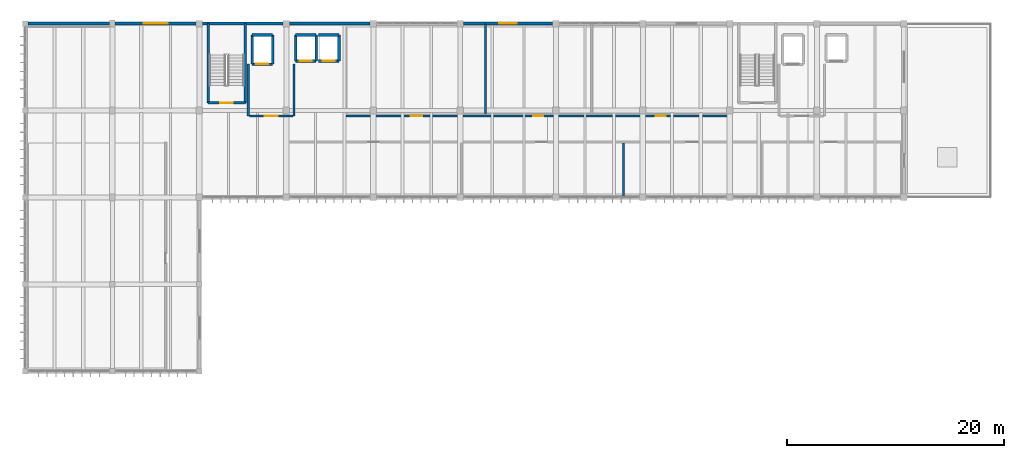
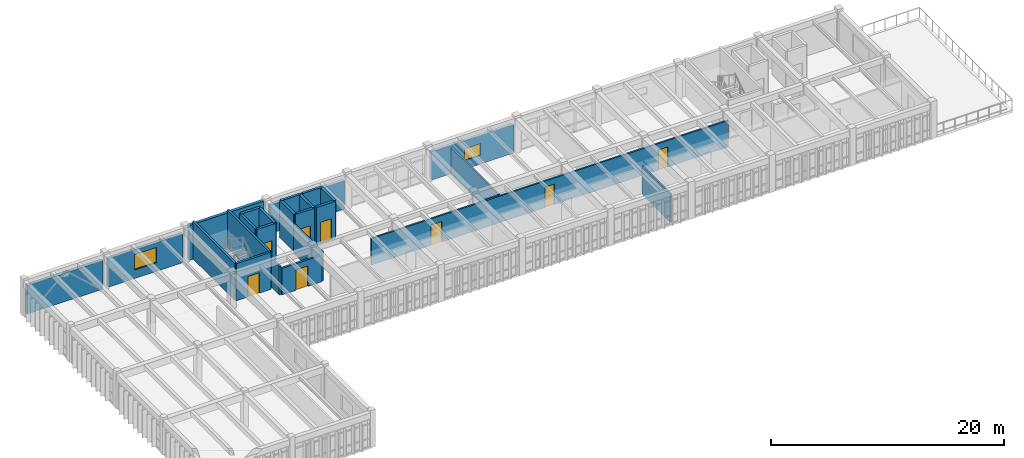
# One storey, part 16 of 22: 25 walls, 8 doors, 2 windows, 10 openings.
"""IFC4 building model written with IfcOpenShell, lengths in metres."""

from ifc_helpers import new_model, si_unit, direction, frame, frame_2d, origin, place, context, subcontext, project, spatial, rectangle, extrude, material, layer, layer_set, type_object, element, fill, save


model = new_model("IFC4")

# Units and contexts
model_context = context("Model", 3, precision=1e-05, world=origin(), true_north=direction((0.0, 1.0)))
body_context = subcontext(model_context, "Body", "Model", "MODEL_VIEW")
ifc_project = project(units=[si_unit("LENGTHUNIT", "METRE"), si_unit("AREAUNIT", "SQUARE_METRE"), si_unit("VOLUMEUNIT", "CUBIC_METRE"), si_unit("PLANEANGLEUNIT", "RADIAN"), si_unit("MASSUNIT", "GRAM", prefix="KILO")], contexts=[model_context])

# Site, building, storey
site_placement = place(None, origin())
site = spatial("IfcSite", under=ifc_project, at=site_placement, CompositionType="ELEMENT")
building_placement = place(site_placement, origin())
building = spatial("IfcBuilding", under=site, at=building_placement, Name="Tlaxcora Railside Police Headquarters", CompositionType="ELEMENT")
storey_placement = place(building_placement, frame((0.0, 0.0, 21.89990234375)))
storey = spatial("IfcBuildingStorey", under=building, at=storey_placement, Name="L05", CompositionType="ELEMENT", Elevation=21.89990234375)

# Wall, opening, door
ifc_material_1 = material(Name="Pressed clay brick masonry", Category="masonry")
ifc_layer_1 = layer(ifc_material_1, 0.199951171875, Name="Pressed clay brick masonry")
ifc_layer_set_1 = layer_set([ifc_layer_1], Name="Pressed clay brick masonry")
wall_type_1 = type_object("IfcWallType", Name="Interior Partition Wall IW-60", PredefinedType="PARTITIONING", material=ifc_layer_set_1)
wall_1_placement = place(storey_placement, frame((25.800048828125, 84.300048828125, 0.0), z_axis=(0.0, 0.0, 1.0), x_axis=(1.0, 0.0, 0.0)))
wall_1 = element("IfcWall", 1, at=wall_1_placement, inside=storey, type_object=wall_type_1, Name="V5 L05 interior partition 221", PredefinedType="PARTITIONING", context=body_context, shape_type="SweptSolid", body=[
    extrude(rectangle(XDim=4.0, YDim=0.199951171875, at=frame_2d((2.0, 0.0))), origin(), (0.0, 0.0, 1.0), 2.78515625),
])
opening_1_placement = place(wall_1_placement, frame((1.39990234375, 0.0, 0.0)))
opening_1 = element("IfcOpeningElement", 2, at=opening_1_placement, cuts=wall_1, Name="Opening D-L05-245", PredefinedType="OPENING", context=body_context, shape_type="SweptSolid", body=[
    extrude(rectangle(XDim=1.199951171875, YDim=2.14990234375, at=frame_2d((0.60009765625, 1.074951171875))), frame((0.0, 0.10986328125, 0.0), z_axis=(0.0, -1.0, 0.0), x_axis=(1.0, 0.0, 0.0)), (0.0, 0.0, 1.0), 0.219970703125),
])
ifc_material_2 = material(Name="Steel ASTM A992 Grade 50", Category="steel")
door_type_1 = type_object("IfcDoorType", Name="Swing or Sliding Personnel Door ID-14", OperationType="NOTDEFINED", PredefinedType="DOOR", material=ifc_material_2)
door_1_placement = place(opening_1_placement, origin())
door_1 = element("IfcDoor", 3, at=door_1_placement, inside=storey, type_object=door_type_1, Name="V5 L05 door D-L05-245", OperationType="DOUBLE_DOOR_SINGLE_SWING", OverallHeight=2.14990234375, OverallWidth=1.199951171875, PredefinedType="DOOR", context=body_context, shape_type="SweptSolid", body=[
    extrude(rectangle(XDim=1.199951171875, YDim=2.14990234375, at=frame_2d((0.60009765625, 1.074951171875))), frame((0.0, 0.02490234375, 0.0), z_axis=(0.0, -1.0, 0.0), x_axis=(1.0, 0.0, 0.0)), (0.0, 0.0, 1.0), 0.050048828125),
])
fill(opening_1, door_1)

# Walls
wall_2_placement = place(storey_placement, frame((25.699951171875, 84.300048828125, 0.0), z_axis=(0.0, 0.0, 1.0), x_axis=(0.0, 1.0, 0.0)))
element("IfcWall", 4, at=wall_2_placement, inside=storey, type_object=wall_type_1, Name="V5 L05 interior partition 222", PredefinedType="PARTITIONING", context=body_context, shape_type="SweptSolid", body=[
    extrude(rectangle(XDim=4.800048828125, YDim=0.199951171875, at=frame_2d((2.39990234375, 0.0))), origin(), (0.0, 0.0, 1.0), 2.985107421875),
])
wall_3_placement = place(storey_placement, frame((29.89990234375, 84.300048828125, 0.0), z_axis=(0.0, 0.0, 1.0), x_axis=(0.0, 1.0, 0.0)))
element("IfcWall", 5, at=wall_3_placement, inside=storey, type_object=wall_type_1, Name="V5 L05 interior partition 223", PredefinedType="PARTITIONING", context=body_context, shape_type="SweptSolid", body=[
    extrude(rectangle(XDim=4.800048828125, YDim=0.199951171875, at=frame_2d((2.39990234375, 0.0))), origin(), (0.0, 0.0, 1.0), 3.03515625),
])
ifc_material_3 = material(Name="Gypsum acoustic partition board")
ifc_layer_2 = layer(ifc_material_3, 0.159912109375, Name="Gypsum acoustic partition board")
ifc_layer_set_2 = layer_set([ifc_layer_2], Name="Gypsum acoustic partition board")
wall_type_2 = type_object("IfcWallType", Name="Interior Partition Wall IW-73", PredefinedType="PARTITIONING", material=ifc_layer_set_2)
wall_4_placement = place(storey_placement, frame((47.510986328125, 84.5, 0.0), z_axis=(0.0, 0.0, 1.0), x_axis=(0.0, 1.0, 0.0)))
element("IfcWall", 6, at=wall_4_placement, inside=storey, type_object=wall_type_2, Name="V5 L05 interior partition 231", PredefinedType="PARTITIONING", context=body_context, shape_type="SweptSolid", body=[
    extrude(rectangle(XDim=8.219970703125, YDim=0.159912109375, at=frame_2d((4.10986328125, 0.0))), origin(), (0.0, 0.0, 1.0), 2.78515625),
])

# Wall, openings, doors
wall_5_placement = place(storey_placement, frame((34.699951171875, 84.300048828125, 0.0), z_axis=(0.0, 0.0, 1.0), x_axis=(1.0, 0.0, 0.0)))
wall_5 = element("IfcWall", 7, at=wall_5_placement, inside=storey, type_object=wall_type_2, Name="V5 L05 interior partition 233", PredefinedType="PARTITIONING", context=body_context, shape_type="SweptSolid", body=[
    extrude(rectangle(XDim=35.400146484375, YDim=0.159912109375, at=frame_2d((17.7001953125, 0.0))), origin(), (0.0, 0.0, 1.0), 2.78515625),
])
opening_2_placement = place(wall_5_placement, frame((5.919921875, 0.0, 0.0)))
opening_2 = element("IfcOpeningElement", 8, at=opening_2_placement, cuts=wall_5, Name="Opening D-L05-251", PredefinedType="OPENING", context=body_context, shape_type="SweptSolid", body=[
    extrude(rectangle(XDim=1.080078125, YDim=2.139892578125, at=frame_2d((0.5400390625, 1.06982421875))), frame((0.0, 0.08984375, 0.0), z_axis=(0.0, -1.0, 0.0), x_axis=(1.0, 0.0, 0.0)), (0.0, 0.0, 1.0), 0.179931640625),
])
opening_3_placement = place(wall_5_placement, frame((17.199951171875, 0.0, 0.0)))
opening_3 = element("IfcOpeningElement", 9, at=opening_3_placement, cuts=wall_5, Name="Opening D-L05-252", PredefinedType="OPENING", context=body_context, shape_type="SweptSolid", body=[
    extrude(rectangle(XDim=0.949951171875, YDim=2.14990234375, at=frame_2d((0.47509765625, 1.074951171875))), frame((0.0, 0.08984375, 0.0), z_axis=(0.0, -1.0, 0.0), x_axis=(1.0, 0.0, 0.0)), (0.0, 0.0, 1.0), 0.179931640625),
])
opening_4_placement = place(wall_5_placement, frame((28.47998046875, 0.0, 0.0)))
opening_4 = element("IfcOpeningElement", 10, at=opening_4_placement, cuts=wall_5, Name="Opening D-L05-253", PredefinedType="OPENING", context=body_context, shape_type="SweptSolid", body=[
    extrude(rectangle(XDim=0.89990234375, YDim=2.10009765625, at=frame_2d((0.449951171875, 1.050048828125))), frame((0.0, 0.08984375, 0.0), z_axis=(0.0, -1.0, 0.0), x_axis=(1.0, 0.0, 0.0)), (0.0, 0.0, 1.0), 0.179931640625),
])
door_type_2 = type_object("IfcDoorType", Name="Swing or Sliding Personnel Door ID-20", OperationType="NOTDEFINED", PredefinedType="DOOR", material=ifc_material_2)
door_2_placement = place(opening_2_placement, origin())
door_2 = element("IfcDoor", 11, at=door_2_placement, inside=storey, type_object=door_type_2, Name="V5 L05 door D-L05-251", OperationType="SINGLE_SWING_RIGHT", OverallHeight=2.139892578125, OverallWidth=1.080078125, PredefinedType="DOOR", context=body_context, shape_type="SweptSolid", body=[
    extrude(rectangle(XDim=1.080078125, YDim=2.139892578125, at=frame_2d((0.5400390625, 1.06982421875))), frame((0.0, 0.02490234375, 0.0), z_axis=(0.0, -1.0, 0.0), x_axis=(1.0, 0.0, 0.0)), (0.0, 0.0, 1.0), 0.050048828125),
])
fill(opening_2, door_2)
door_type_3 = type_object("IfcDoorType", Name="Swing or Sliding Personnel Door ID-31", OperationType="NOTDEFINED", PredefinedType="DOOR", material=ifc_material_2)
door_3_placement = place(opening_3_placement, origin())
door_3 = element("IfcDoor", 12, at=door_3_placement, inside=storey, type_object=door_type_3, Name="V5 L05 door D-L05-252", OperationType="SINGLE_SWING_LEFT", OverallHeight=2.14990234375, OverallWidth=0.949951171875, PredefinedType="DOOR", context=body_context, shape_type="SweptSolid", body=[
    extrude(rectangle(XDim=0.949951171875, YDim=2.14990234375, at=frame_2d((0.47509765625, 1.074951171875))), frame((0.0, 0.02490234375, 0.0), z_axis=(0.0, -1.0, 0.0), x_axis=(1.0, 0.0, 0.0)), (0.0, 0.0, 1.0), 0.050048828125),
])
fill(opening_3, door_3)
door_type_4 = type_object("IfcDoorType", Name="Swing or Sliding Personnel Door ID-33", OperationType="NOTDEFINED", PredefinedType="DOOR", material=ifc_material_2)
door_4_placement = place(opening_4_placement, origin())
door_4 = element("IfcDoor", 13, at=door_4_placement, inside=storey, type_object=door_type_4, Name="V5 L05 door D-L05-253", OperationType="SINGLE_SWING_RIGHT", OverallHeight=2.10009765625, OverallWidth=0.89990234375, PredefinedType="DOOR", context=body_context, shape_type="SweptSolid", body=[
    extrude(rectangle(XDim=0.89990234375, YDim=2.10009765625, at=frame_2d((0.449951171875, 1.050048828125))), frame((0.0, 0.02490234375, 0.0), z_axis=(0.0, -1.0, 0.0), x_axis=(1.0, 0.0, 0.0)), (0.0, 0.0, 1.0), 0.050048828125),
])
fill(opening_4, door_4)

# Wall
ifc_layer_3 = layer(ifc_material_3, 0.14990234375, Name="Gypsum acoustic partition board")
ifc_layer_set_3 = layer_set([ifc_layer_3], Name="Gypsum acoustic partition board")
wall_type_3 = type_object("IfcWallType", Name="Interior Partition Wall IW-91", PredefinedType="PARTITIONING", material=ifc_layer_set_3)
wall_6_placement = place(storey_placement, frame((60.2060546875, 76.8798828125, 0.0), z_axis=(0.0, 0.0, 1.0), x_axis=(0.0, 1.0, 0.0)))
element("IfcWall", 14, at=wall_6_placement, inside=storey, type_object=wall_type_3, Name="V5 L05 interior partition 228", PredefinedType="PARTITIONING", context=body_context, shape_type="SweptSolid", body=[
    extrude(rectangle(XDim=4.920166015625, YDim=0.14990234375, at=frame_2d((2.4599609375, 0.0))), origin(), (0.0, 0.0, 1.0), 2.985107421875),
])

# Wall, opening, door
ifc_material_4 = material(Name="Concrete C40/50", Category="concrete")
ifc_layer_4 = layer(ifc_material_4, 0.25, Name="Concrete C40/50")
ifc_layer_set_4 = layer_set([ifc_layer_4], Name="Concrete C40/50")
wall_type_4 = type_object("IfcWallType", Name="Shear Core Wall IW-13", PredefinedType="SHEAR", material=ifc_layer_set_4)
wall_7_placement = place(storey_placement, frame((26.06005859375, 89.06005859375, 0.0), z_axis=(0.0, 0.0, 1.0), x_axis=(1.0, 0.0, 0.0)))
wall_7 = element("IfcWall", 15, at=wall_7_placement, inside=storey, type_object=wall_type_4, Name="Lift FFL-01 L05 shaft wall S", PredefinedType="SHEAR", context=body_context, shape_type="SweptSolid", body=[
    extrude(rectangle(XDim=1.8798828125, YDim=0.25, at=frame_2d((0.93994140625, 0.0))), origin(), (0.0, 0.0, 1.0), 3.900146484375),
])
opening_5_placement = place(wall_7_placement, frame((0.389892578125, 0.0, 0.0)))
opening_5 = element("IfcOpeningElement", 16, at=opening_5_placement, cuts=wall_7, Name="Opening LD-FFL-01-L05", PredefinedType="OPENING", context=body_context, shape_type="SweptSolid", body=[
    extrude(rectangle(XDim=1.10009765625, YDim=2.199951171875, at=frame_2d((0.550048828125, 1.10009765625))), frame((0.0, 0.135009765625, 0.0), z_axis=(0.0, -1.0, 0.0), x_axis=(1.0, 0.0, 0.0)), (0.0, 0.0, 1.0), 0.27001953125),
])
door_type_5 = type_object("IfcDoorType", Name="Swing or Sliding Personnel Door ID-15", OperationType="NOTDEFINED", PredefinedType="DOOR", material=ifc_material_2)
door_5_placement = place(opening_5_placement, origin())
door_5 = element("IfcDoor", 17, at=door_5_placement, inside=storey, type_object=door_type_5, Name="Lift FFL-01 L05 sliding landing door", OperationType="DOUBLE_DOOR_SLIDING", OverallHeight=2.199951171875, OverallWidth=1.10009765625, PredefinedType="DOOR", context=body_context, shape_type="SweptSolid", body=[
    extrude(rectangle(XDim=1.10009765625, YDim=2.199951171875, at=frame_2d((0.550048828125, 1.10009765625))), frame((0.0, 0.02490234375, 0.0), z_axis=(0.0, -1.0, 0.0), x_axis=(1.0, 0.0, 0.0)), (0.0, 0.0, 1.0), 0.050048828125),
])
fill(opening_5, door_5)

# Walls
wall_8_placement = place(storey_placement, frame((27.93994140625, 89.06005859375, 0.0), z_axis=(0.0, 0.0, 1.0), x_axis=(0.0, 1.0, 0.0)))
element("IfcWall", 18, at=wall_8_placement, inside=storey, type_object=wall_type_4, Name="Lift FFL-01 L05 shaft wall E", PredefinedType="SHEAR", context=body_context, shape_type="SweptSolid", body=[
    extrude(rectangle(XDim=2.679931640625, YDim=0.25, at=frame_2d((1.33984375, 0.0))), origin(), (0.0, 0.0, 1.0), 3.900146484375),
])
wall_9_placement = place(storey_placement, frame((27.93994140625, 91.739990234375, 0.0), z_axis=(0.0, 0.0, 1.0), x_axis=(-1.0, 0.0, 0.0)))
element("IfcWall", 19, at=wall_9_placement, inside=storey, type_object=wall_type_4, Name="Lift FFL-01 L05 shaft wall N", PredefinedType="SHEAR", context=body_context, shape_type="SweptSolid", body=[
    extrude(rectangle(XDim=1.8798828125, YDim=0.25, at=frame_2d((0.93994140625, 0.0))), origin(), (0.0, 0.0, 1.0), 3.900146484375),
])
wall_10_placement = place(storey_placement, frame((26.06005859375, 91.739990234375, 0.0), z_axis=(0.0, 0.0, 1.0), x_axis=(0.0, -1.0, 0.0)))
element("IfcWall", 20, at=wall_10_placement, inside=storey, type_object=wall_type_4, Name="Lift FFL-01 L05 shaft wall W", PredefinedType="SHEAR", context=body_context, shape_type="SweptSolid", body=[
    extrude(rectangle(XDim=2.679931640625, YDim=0.25, at=frame_2d((1.33984375, 0.0))), origin(), (0.0, 0.0, 1.0), 3.900146484375),
])

# Wall, opening, door
wall_11_placement = place(storey_placement, frame((30.06005859375, 89.360107421875, 0.0), z_axis=(0.0, 0.0, 1.0), x_axis=(1.0, 0.0, 0.0)))
wall_11 = element("IfcWall", 21, at=wall_11_placement, inside=storey, type_object=wall_type_4, Name="Lift PL-01 L05 shaft wall S", PredefinedType="SHEAR", context=body_context, shape_type="SweptSolid", body=[
    extrude(rectangle(XDim=1.8798828125, YDim=0.25, at=frame_2d((0.93994140625, 0.0))), origin(), (0.0, 0.0, 1.0), 3.900146484375),
])
opening_6_placement = place(wall_11_placement, frame((0.389892578125, 0.0, 0.0)))
opening_6 = element("IfcOpeningElement", 22, at=opening_6_placement, cuts=wall_11, Name="Opening LD-PL-01-L05", PredefinedType="OPENING", context=body_context, shape_type="SweptSolid", body=[
    extrude(rectangle(XDim=1.10009765625, YDim=2.199951171875, at=frame_2d((0.550048828125, 1.10009765625))), frame((0.0, 0.135009765625, 0.0), z_axis=(0.0, -1.0, 0.0), x_axis=(1.0, 0.0, 0.0)), (0.0, 0.0, 1.0), 0.27001953125),
])
door_6_placement = place(opening_6_placement, origin())
door_6 = element("IfcDoor", 23, at=door_6_placement, inside=storey, type_object=door_type_5, Name="Lift PL-01 L05 sliding landing door", OperationType="DOUBLE_DOOR_SLIDING", OverallHeight=2.199951171875, OverallWidth=1.10009765625, PredefinedType="DOOR", context=body_context, shape_type="SweptSolid", body=[
    extrude(rectangle(XDim=1.10009765625, YDim=2.199951171875, at=frame_2d((0.550048828125, 1.10009765625))), frame((0.0, 0.02490234375, 0.0), z_axis=(0.0, -1.0, 0.0), x_axis=(1.0, 0.0, 0.0)), (0.0, 0.0, 1.0), 0.050048828125),
])
fill(opening_6, door_6)

# Walls
wall_12_placement = place(storey_placement, frame((31.93994140625, 89.360107421875, 0.0), z_axis=(0.0, 0.0, 1.0), x_axis=(0.0, 1.0, 0.0)))
element("IfcWall", 24, at=wall_12_placement, inside=storey, type_object=wall_type_4, Name="Lift PL-01 L05 shaft wall E", PredefinedType="SHEAR", context=body_context, shape_type="SweptSolid", body=[
    extrude(rectangle(XDim=2.3798828125, YDim=0.25, at=frame_2d((1.18994140625, 0.0))), origin(), (0.0, 0.0, 1.0), 3.900146484375),
])
wall_13_placement = place(storey_placement, frame((31.93994140625, 91.739990234375, 0.0), z_axis=(0.0, 0.0, 1.0), x_axis=(-1.0, 0.0, 0.0)))
element("IfcWall", 25, at=wall_13_placement, inside=storey, type_object=wall_type_4, Name="Lift PL-01 L05 shaft wall N", PredefinedType="SHEAR", context=body_context, shape_type="SweptSolid", body=[
    extrude(rectangle(XDim=1.8798828125, YDim=0.25, at=frame_2d((0.93994140625, 0.0))), origin(), (0.0, 0.0, 1.0), 3.900146484375),
])
wall_14_placement = place(storey_placement, frame((30.06005859375, 91.739990234375, 0.0), z_axis=(0.0, 0.0, 1.0), x_axis=(0.0, -1.0, 0.0)))
element("IfcWall", 26, at=wall_14_placement, inside=storey, type_object=wall_type_4, Name="Lift PL-01 L05 shaft wall W", PredefinedType="SHEAR", context=body_context, shape_type="SweptSolid", body=[
    extrude(rectangle(XDim=2.3798828125, YDim=0.25, at=frame_2d((1.18994140625, 0.0))), origin(), (0.0, 0.0, 1.0), 3.900146484375),
])

# Wall, opening, door
wall_15_placement = place(storey_placement, frame((32.159912109375, 89.360107421875, 0.0), z_axis=(0.0, 0.0, 1.0), x_axis=(1.0, 0.0, 0.0)))
wall_15 = element("IfcWall", 27, at=wall_15_placement, inside=storey, type_object=wall_type_4, Name="Lift PL-02 L05 shaft wall S", PredefinedType="SHEAR", context=body_context, shape_type="SweptSolid", body=[
    extrude(rectangle(XDim=1.880126953125, YDim=0.25, at=frame_2d((0.93994140625, 0.0))), origin(), (0.0, 0.0, 1.0), 3.900146484375),
])
opening_7_placement = place(wall_15_placement, frame((0.389892578125, 0.0, 0.0)))
opening_7 = element("IfcOpeningElement", 28, at=opening_7_placement, cuts=wall_15, Name="Opening LD-PL-02-L05", PredefinedType="OPENING", context=body_context, shape_type="SweptSolid", body=[
    extrude(rectangle(XDim=1.10009765625, YDim=2.199951171875, at=frame_2d((0.550048828125, 1.10009765625))), frame((0.0, 0.135009765625, 0.0), z_axis=(0.0, -1.0, 0.0), x_axis=(1.0, 0.0, 0.0)), (0.0, 0.0, 1.0), 0.27001953125),
])
door_7_placement = place(opening_7_placement, origin())
door_7 = element("IfcDoor", 29, at=door_7_placement, inside=storey, type_object=door_type_5, Name="Lift PL-02 L05 sliding landing door", OperationType="DOUBLE_DOOR_SLIDING", OverallHeight=2.199951171875, OverallWidth=1.10009765625, PredefinedType="DOOR", context=body_context, shape_type="SweptSolid", body=[
    extrude(rectangle(XDim=1.10009765625, YDim=2.199951171875, at=frame_2d((0.550048828125, 1.10009765625))), frame((0.0, 0.02490234375, 0.0), z_axis=(0.0, -1.0, 0.0), x_axis=(1.0, 0.0, 0.0)), (0.0, 0.0, 1.0), 0.050048828125),
])
fill(opening_7, door_7)

# Walls
wall_16_placement = place(storey_placement, frame((34.0400390625, 89.360107421875, 0.0), z_axis=(0.0, 0.0, 1.0), x_axis=(0.0, 1.0, 0.0)))
element("IfcWall", 30, at=wall_16_placement, inside=storey, type_object=wall_type_4, Name="Lift PL-02 L05 shaft wall E", PredefinedType="SHEAR", context=body_context, shape_type="SweptSolid", body=[
    extrude(rectangle(XDim=2.3798828125, YDim=0.25, at=frame_2d((1.18994140625, 0.0))), origin(), (0.0, 0.0, 1.0), 3.900146484375),
])
wall_17_placement = place(storey_placement, frame((34.0400390625, 91.739990234375, 0.0), z_axis=(0.0, 0.0, 1.0), x_axis=(-1.0, 0.0, 0.0)))
element("IfcWall", 31, at=wall_17_placement, inside=storey, type_object=wall_type_4, Name="Lift PL-02 L05 shaft wall N", PredefinedType="SHEAR", context=body_context, shape_type="SweptSolid", body=[
    extrude(rectangle(XDim=1.880126953125, YDim=0.25, at=frame_2d((0.93994140625, 0.0))), origin(), (0.0, 0.0, 1.0), 3.900146484375),
])

# Wall, opening, door
ifc_layer_5 = layer(ifc_material_4, 0.219970703125, Name="Concrete C40/50")
ifc_layer_set_5 = layer_set([ifc_layer_5], Name="Concrete C40/50")
wall_type_5 = type_object("IfcWallType", Name="Shear Core Wall IW-35", PredefinedType="SHEAR", material=ifc_layer_set_5)
wall_18_placement = place(storey_placement, frame((22.0, 85.5, 0.0), z_axis=(0.0, 0.0, 1.0), x_axis=(1.0, 0.0, 0.0)))
wall_18 = element("IfcWall", 32, at=wall_18_placement, inside=storey, type_object=wall_type_5, Name="CORE-C1 L05 stair core wall S", PredefinedType="SHEAR", context=body_context, shape_type="SweptSolid", body=[
    extrude(rectangle(XDim=3.419921875, YDim=0.219970703125, at=frame_2d((1.7099609375, 0.0))), origin(), (0.0, 0.0, 1.0), 3.900146484375),
])
opening_8_placement = place(wall_18_placement, frame((1.135009765625, 0.0, 0.0)))
opening_8 = element("IfcOpeningElement", 33, at=opening_8_placement, cuts=wall_18, Name="Opening SD-L05-007", PredefinedType="OPENING", context=body_context, shape_type="SweptSolid", body=[
    extrude(rectangle(XDim=1.14990234375, YDim=2.14990234375, at=frame_2d((0.574951171875, 1.074951171875))), frame((0.0, 0.1201171875, 0.0), z_axis=(0.0, -1.0, 0.0), x_axis=(1.0, 0.0, 0.0)), (0.0, 0.0, 1.0), 0.239990234375),
])
door_type_6 = type_object("IfcDoorType", Name="Swing or Sliding Personnel Door ID-73", OperationType="NOTDEFINED", PredefinedType="DOOR", material=ifc_material_2)
door_8_placement = place(opening_8_placement, origin())
door_8 = element("IfcDoor", 34, at=door_8_placement, inside=storey, type_object=door_type_6, Name="Stair ST1 L05 enclosure fire door", OperationType="SINGLE_SWING_LEFT", OverallHeight=2.14990234375, OverallWidth=1.14990234375, PredefinedType="DOOR", context=body_context, shape_type="SweptSolid", body=[
    extrude(rectangle(XDim=1.14990234375, YDim=2.14990234375, at=frame_2d((0.574951171875, 1.074951171875))), frame((0.0, 0.02490234375, 0.0), z_axis=(0.0, -1.0, 0.0), x_axis=(1.0, 0.0, 0.0)), (0.0, 0.0, 1.0), 0.050048828125),
])
fill(opening_8, door_8)

# Walls
for number, where, z_axis, x_axis, name in (
    (35, (25.419921875, 85.5, 0.0), (0.0, 0.0, 1.0), (0.0, 1.0, 0.0), "CORE-C1 L05 stair core wall E"),
    (36, (22.0, 92.800048828125, 0.0), (0.0, 0.0, 1.0), (0.0, -1.0, 0.0), "CORE-C1 L05 stair core wall W"),
):
    element("IfcWall", number, at=place(storey_placement, frame(where, z_axis=z_axis, x_axis=x_axis)), inside=storey, type_object=wall_type_5, Name=name, PredefinedType="SHEAR", context=body_context, shape_type="SweptSolid", body=[
        extrude(rectangle(XDim=7.300048828125, YDim=0.219970703125, at=frame_2d((3.64990234375, 0.0))), origin(), (0.0, 0.0, 1.0), 3.900146484375),
    ])

# Wall, opening, window
ifc_layer_6 = layer(ifc_material_1, 0.294921875, Name="Pressed clay brick masonry")
ifc_layer_set_6 = layer_set([ifc_layer_6], Name="Pressed clay brick masonry")
wall_type_6 = type_object("IfcWallType", Name="Structural Bearing Wall EW-74", PredefinedType="SOLIDWALL", material=ifc_layer_set_6)
wall_19_placement = place(storey_placement, frame((53.699951171875, 92.800048828125, 0.0), z_axis=(0.0, 0.0, 1.0), x_axis=(-1.0, 0.0, 0.0)))
wall_19 = element("IfcWall", 37, at=wall_19_placement, inside=storey, type_object=wall_type_6, Name="V5 L05 exterior wall 4.4", PredefinedType="SOLIDWALL", context=body_context, shape_type="SweptSolid", body=[
    extrude(rectangle(XDim=8.199951171875, YDim=0.294921875, at=frame_2d((4.10009765625, 0.0))), origin(), (0.0, 0.0, 1.0), 3.0),
])
opening_9_placement = place(wall_19_placement, frame((3.300048828125, 0.0, 0.89990234375)))
opening_9 = element("IfcOpeningElement", 38, at=opening_9_placement, cuts=wall_19, Name="Opening WN-63", PredefinedType="OPENING", context=body_context, shape_type="SweptSolid", body=[
    extrude(rectangle(XDim=1.60009765625, YDim=1.25, at=frame_2d((0.800048828125, 0.625))), frame((0.0, 0.157470703125, 0.0), z_axis=(0.0, -1.0, 0.0), x_axis=(1.0, 0.0, 0.0)), (0.0, 0.0, 1.0), 0.31494140625),
])
ifc_material_5 = material(Name="Thermally broken low-E insulated glazing", Category="glass")
window_type_1 = type_object("IfcWindowType", Name="Exterior Framed or Circular Window WN-63", PartitioningType="SINGLE_PANEL", PredefinedType="WINDOW", material=ifc_material_5)
window_1_placement = place(opening_9_placement, origin())
window_1 = element("IfcWindow", 39, at=window_1_placement, inside=storey, type_object=window_type_1, Name="V5 L05 window 147", OverallHeight=1.25, OverallWidth=1.60009765625, PartitioningType="SINGLE_PANEL", PredefinedType="WINDOW", context=body_context, shape_type="SweptSolid", body=[
    extrude(rectangle(XDim=1.60009765625, YDim=1.25, at=frame_2d((0.800048828125, 0.625))), frame((0.0, 0.030029296875, 0.0), z_axis=(0.0, -1.0, 0.0), x_axis=(1.0, 0.0, 0.0)), (0.0, 0.0, 1.0), 0.06005859375),
])
fill(opening_9, window_1)

# Walls
wall_20_placement = place(storey_placement, frame((36.89990234375, 92.800048828125, 0.0), z_axis=(0.0, 0.0, 1.0), x_axis=(-1.0, 0.0, 0.0)))
element("IfcWall", 40, at=wall_20_placement, inside=storey, type_object=wall_type_6, Name="V5 L05 exterior wall 4.6", PredefinedType="SOLIDWALL", context=body_context, shape_type="SweptSolid", body=[
    extrude(rectangle(XDim=7.39990234375, YDim=0.294921875, at=frame_2d((3.699951171875, 0.0))), origin(), (0.0, 0.0, 1.0), 3.0),
])
wall_21_placement = place(storey_placement, frame((28.89990234375, 92.800048828125, 0.0), z_axis=(0.0, 0.0, 1.0), x_axis=(-1.0, 0.0, 0.0)))
element("IfcWall", 41, at=wall_21_placement, inside=storey, type_object=wall_type_6, Name="V5 L05 exterior wall 4.7", PredefinedType="SOLIDWALL", context=body_context, shape_type="SweptSolid", body=[
    extrude(rectangle(XDim=7.39990234375, YDim=0.294921875, at=frame_2d((3.699951171875, 0.0))), origin(), (0.0, 0.0, 1.0), 3.650146484375),
])

# Wall, opening, window
wall_22_placement = place(storey_placement, frame((20.89990234375, 92.800048828125, 0.0), z_axis=(0.0, 0.0, 1.0), x_axis=(-1.0, 0.0, 0.0)))
wall_22 = element("IfcWall", 42, at=wall_22_placement, inside=storey, type_object=wall_type_6, Name="V5 L05 exterior wall 4.8", PredefinedType="SOLIDWALL", context=body_context, shape_type="SweptSolid", body=[
    extrude(rectangle(XDim=7.449951171875, YDim=0.294921875, at=frame_2d((3.72509765625, 0.0))), origin(), (0.0, 0.0, 1.0), 3.0),
])
opening_10_placement = place(wall_22_placement, frame((2.625, 0.0, 0.89990234375)))
opening_10 = element("IfcOpeningElement", 43, at=opening_10_placement, cuts=wall_22, Name="Opening WN-57", PredefinedType="OPENING", context=body_context, shape_type="SweptSolid", body=[
    extrude(rectangle(XDim=2.199951171875, YDim=1.60009765625, at=frame_2d((1.10009765625, 0.800048828125))), frame((0.0, 0.157470703125, 0.0), z_axis=(0.0, -1.0, 0.0), x_axis=(1.0, 0.0, 0.0)), (0.0, 0.0, 1.0), 0.31494140625),
])
window_type_2 = type_object("IfcWindowType", Name="Exterior Framed or Circular Window WN-57", PartitioningType="SINGLE_PANEL", PredefinedType="WINDOW", material=ifc_material_5)
window_2_placement = place(opening_10_placement, origin())
window_2 = element("IfcWindow", 44, at=window_2_placement, inside=storey, type_object=window_type_2, Name="V5 L05 window 148", OverallHeight=1.60009765625, OverallWidth=2.199951171875, PartitioningType="SINGLE_PANEL", PredefinedType="WINDOW", context=body_context, shape_type="SweptSolid", body=[
    extrude(rectangle(XDim=2.199951171875, YDim=1.60009765625, at=frame_2d((1.10009765625, 0.800048828125))), frame((0.0, 0.030029296875, 0.0), z_axis=(0.0, -1.0, 0.0), x_axis=(1.0, 0.0, 0.0)), (0.0, 0.0, 1.0), 0.06005859375),
])
fill(opening_10, window_2)

# Wall
wall_23_placement = place(storey_placement, frame((12.949951171875, 92.800048828125, 0.0), z_axis=(0.0, 0.0, 1.0), x_axis=(-1.0, 0.0, 0.0)))
element("IfcWall", 45, at=wall_23_placement, inside=storey, type_object=wall_type_6, Name="V5 L05 exterior wall 4.9", PredefinedType="SOLIDWALL", context=body_context, shape_type="SweptSolid", body=[
    extrude(rectangle(XDim=7.5, YDim=0.294921875, at=frame_2d((3.75, 0.0))), origin(), (0.0, 0.0, 1.0), 3.0),
])

save(model, "model.ifc")
